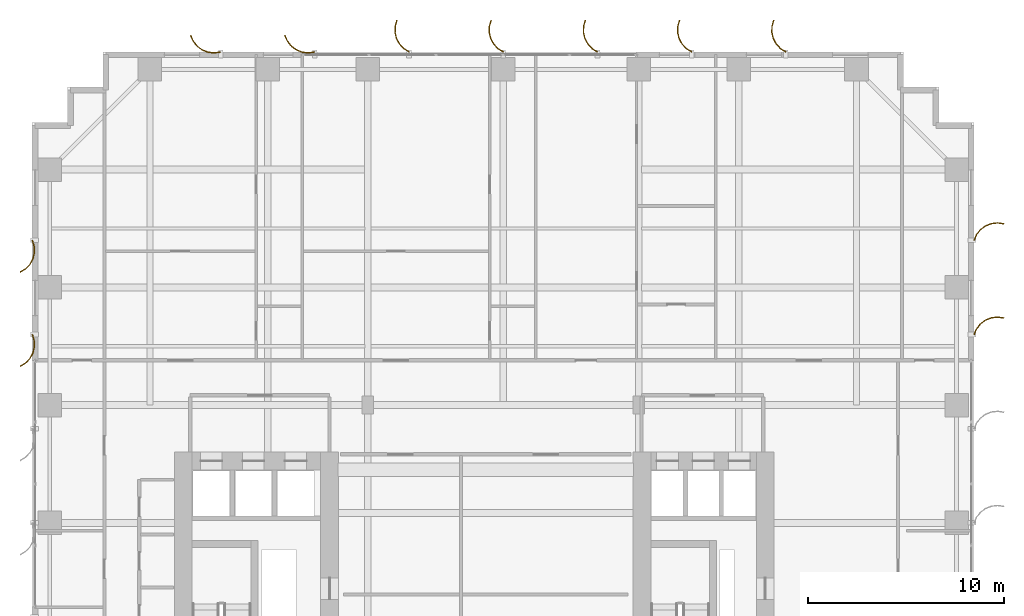
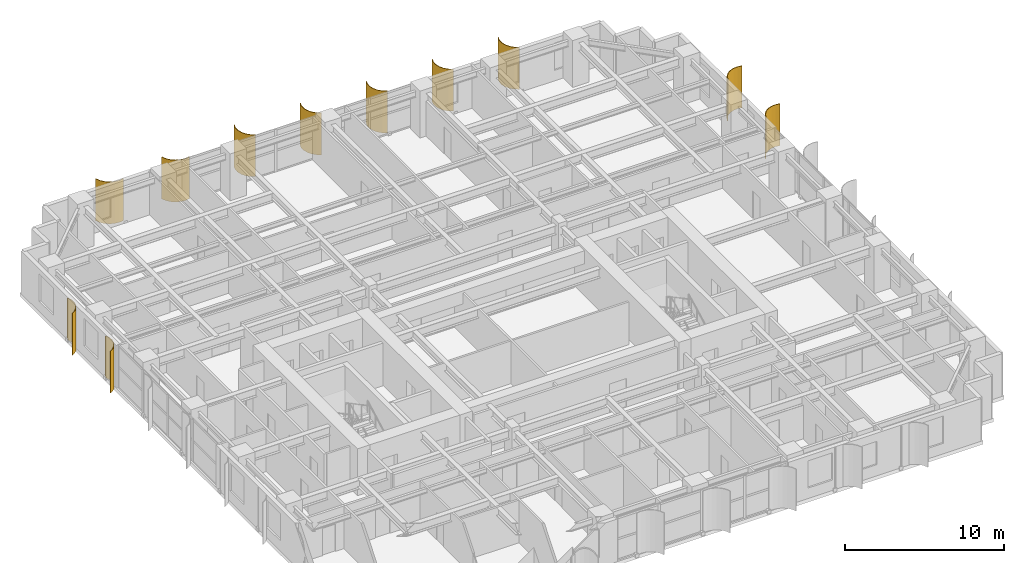
# One storey, part 23 of 23: 11 shading devices.
"""IFC4 building model written with IfcOpenShell, lengths in metres."""

from ifc_helpers import new_model, si_unit, direction, frame, origin, place, context, subcontext, project, spatial, polyline, outline, extrude, source, transform, mapped, material, layer, layer_set, type_object, element, save


model = new_model("IFC4")

# Units and contexts
model_context = context("Model", 3, precision=1e-05, world=origin(), true_north=direction((0.0, 1.0)))
body_context = subcontext(model_context, "Body", "Model", "MODEL_VIEW")
ifc_project = project(units=[si_unit("LENGTHUNIT", "METRE"), si_unit("AREAUNIT", "SQUARE_METRE"), si_unit("VOLUMEUNIT", "CUBIC_METRE"), si_unit("PLANEANGLEUNIT", "RADIAN"), si_unit("MASSUNIT", "GRAM", prefix="KILO")], contexts=[model_context])

# Site, building, storey
site_placement = place(None, origin())
site = spatial("IfcSite", under=ifc_project, at=site_placement, CompositionType="ELEMENT")
building_placement = place(site_placement, origin())
building = spatial("IfcBuilding", under=site, at=building_placement, Name="Khoralis Quay Care Tower", CompositionType="ELEMENT")
storey_placement = place(building_placement, frame((0.0, 0.0, 72.89990234375)))
storey = spatial("IfcBuildingStorey", under=building, at=storey_placement, Name="L19", CompositionType="ELEMENT", Elevation=72.89990234375)

# Shading devices
ifc_material = material(Name="Brushed pale anodised aluminium", Category="aluminium")
ifc_layer = layer(ifc_material, 0.044921875)
ifc_layer_set = layer_set([ifc_layer], Name="Brushed pale anodised aluminium")
shading_device_type = type_object("IfcShadingDeviceType", Name="SHD-FIN-1250", PredefinedType="USERDEFINED", material=ifc_layer_set)
shared_shape_1 = source(origin(), body_context, "Body", "SweptSolid", [
    extrude(outline(polyline([(0.0, 0.0), (0.17041015625, 0.2783203125), (0.4072265625, 0.5029296875), (0.694091796875, 0.658447265625), (1.01123046875, 0.734619140625), (1.33740234375, 0.72607421875), (1.650390625, 0.633544921875), (1.632080078125, 0.59228515625), (1.330322265625, 0.681640625), (1.015869140625, 0.68994140625), (0.710205078125, 0.616455078125), (0.43359375, 0.466552734375), (0.20556640625, 0.25), (0.041015625, -0.018310546875), (0.0, 0.0)])), origin(), (0.0, 0.0, 1.0), 3.219970703125),
])
for number, where, z_axis, x_axis, name in (
    (1, (38.39990234375, 47.969970703125, 0.02001953125), (0.0, 0.0, 1.0), (0.0, 1.0, 0.0), "L19 Curved Solar Fin P1E10-01"),
    (2, (33.60009765625, 47.969970703125, 0.02001953125), (0.0, 0.0, 1.0), (0.0, 1.0, 0.0), "L19 Curved Solar Fin P1E10-02"),
    (3, (28.800048828125, 47.969970703125, 0.02001953125), (0.0, 0.0, 1.0), (0.0, 1.0, 0.0), "L19 Curved Solar Fin P1E10-03"),
    (4, (24.0, 47.969970703125, 0.02001953125), (0.0, 0.0, 1.0), (0.0, 1.0, 0.0), "L19 Curved Solar Fin P1E10-04"),
    (5, (19.199951171875, 47.969970703125, 0.02001953125), (0.0, 0.0, 1.0), (0.0, 1.0, 0.0), "L19 Curved Solar Fin P1E10-05"),
):
    element("IfcShadingDevice", number, at=place(storey_placement, frame(where, z_axis=z_axis, x_axis=x_axis)), inside=storey, type_object=shading_device_type, Name=name, ObjectType="FIN", PredefinedType="USERDEFINED", context=body_context, shape_type="MappedRepresentation", body=[
        mapped(shared_shape_1, transform((0.0, 0.0, 0.0), scale=1.0)),
    ])
shared_shape_2 = source(origin(), body_context, "Body", "SweptSolid", [
    extrude(outline(polyline([(0.0, 0.0), (-0.04833984375, 0.32275390625), (-0.01123046875, 0.64697265625), (0.1083984375, 0.950439453125), (0.302490234375, 1.212890625), (0.557861328125, 1.416015625), (0.85693359375, 1.546142578125), (0.869384765625, 1.5029296875), (0.5810546875, 1.37744140625), (0.334716796875, 1.181640625), (0.147705078125, 0.9287109375), (0.032470703125, 0.635986328125), (-0.003173828125, 0.323486328125), (0.043212890625, 0.012451171875), (0.0, 0.0)])), origin(), (0.0, 0.0, 1.0), 3.219970703125),
])
for number, where, z_axis, x_axis, name in (
    (6, (14.39990234375, 47.969970703125, 0.02001953125), (0.0, 0.0, 1.0), (0.0, 1.0, 0.0), "L19 Curved Solar Fin P1E10-06"),
    (7, (9.60009765625, 47.969970703125, 0.02001953125), (0.0, 0.0, 1.0), (0.0, 1.0, 0.0), "L19 Curved Solar Fin P1E10-07"),
):
    element("IfcShadingDevice", number, at=place(storey_placement, frame(where, z_axis=z_axis, x_axis=x_axis)), inside=storey, type_object=shading_device_type, Name=name, ObjectType="FIN", PredefinedType="USERDEFINED", context=body_context, shape_type="MappedRepresentation", body=[
        mapped(shared_shape_2, transform((0.0, 0.0, 0.0), scale=1.0)),
    ])
shared_shape_3 = source(origin(), body_context, "Body", "SweptSolid", [
    extrude(outline(polyline([(0.0, 0.0), (-0.0927734375, 0.31298828125), (-0.101318359375, 0.63916015625), (-0.025146484375, 0.956298828125), (0.130615234375, 1.2431640625), (0.355224609375, 1.479736328125), (0.633544921875, 1.650390625), (0.65185546875, 1.609130859375), (0.383544921875, 1.44482421875), (0.1669921875, 1.216796875), (0.01708984375, 0.940185546875), (-0.056396484375, 0.63427734375), (-0.04833984375, 0.31982421875), (0.041015625, 0.018310546875), (0.0, 0.0)])), origin(), (0.0, 0.0, 1.0), 3.219970703125),
])
for number, where, z_axis, x_axis, name in (
    (8, (0.030029296875, 38.39990234375, 0.02001953125), (0.0, 0.0, 1.0), (-1.0, 0.0, 0.0), "L19 Curved Solar Fin P1E15-01"),
    (9, (0.030029296875, 33.60009765625, 0.02001953125), (0.0, 0.0, 1.0), (-1.0, 0.0, 0.0), "L19 Curved Solar Fin P1E15-02"),
):
    element("IfcShadingDevice", number, at=place(storey_placement, frame(where, z_axis=z_axis, x_axis=x_axis)), inside=storey, type_object=shading_device_type, Name=name, ObjectType="FIN", PredefinedType="USERDEFINED", context=body_context, shape_type="MappedRepresentation", body=[
        mapped(shared_shape_3, transform((0.0, 0.0, 0.0), scale=1.0)),
    ])
shared_shape_4 = source(origin(), body_context, "Body", "SweptSolid", [
    extrude(outline(polyline([(0.0, 0.0), (0.130126953125, 0.29931640625), (0.333251953125, 0.5546875), (0.595458984375, 0.748779296875), (0.899169921875, 0.868408203125), (1.223388671875, 0.9052734375), (1.546142578125, 0.85693359375), (1.53369140625, 0.813720703125), (1.22265625, 0.8603515625), (0.91015625, 0.82470703125), (0.617431640625, 0.70947265625), (0.364501953125, 0.522216796875), (0.168701171875, 0.276123046875), (0.043212890625, -0.012451171875), (0.0, 0.0)])), origin(), (0.0, 0.0, 1.0), 3.219970703125),
])
for number, where, z_axis, x_axis, name in (
    (10, (47.969970703125, 33.60009765625, 0.02001953125), (0.0, 0.0, 1.0), (1.0, 0.0, 0.0), "L19 Curved Solar Fin P1E5-06"),
    (11, (47.969970703125, 38.39990234375, 0.02001953125), (0.0, 0.0, 1.0), (1.0, 0.0, 0.0), "L19 Curved Solar Fin P1E5-07"),
):
    element("IfcShadingDevice", number, at=place(storey_placement, frame(where, z_axis=z_axis, x_axis=x_axis)), inside=storey, type_object=shading_device_type, Name=name, ObjectType="FIN", PredefinedType="USERDEFINED", context=body_context, shape_type="MappedRepresentation", body=[
        mapped(shared_shape_4, transform((0.0, 0.0, 0.0), scale=1.0)),
    ])

save(model, "model.ifc")
